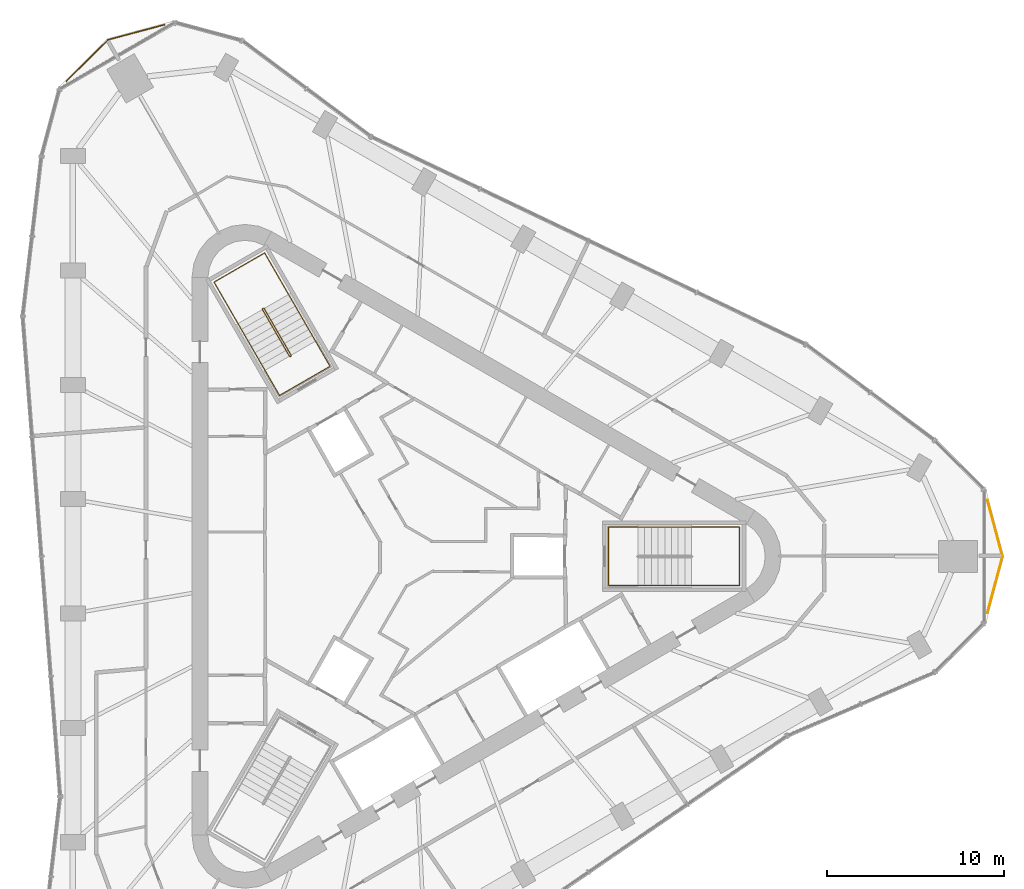
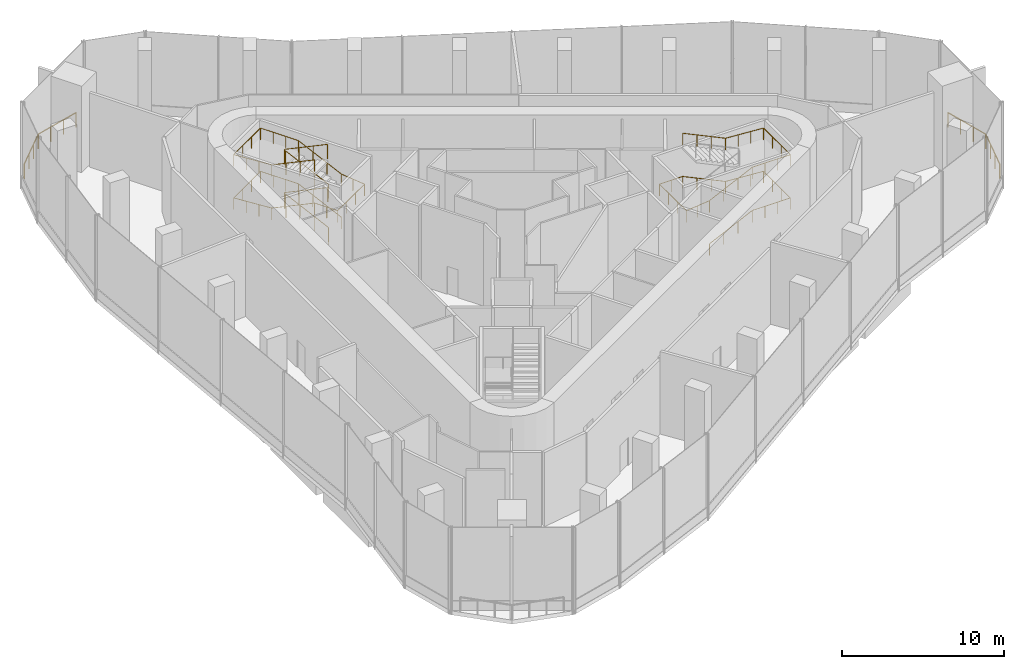
# One storey, part 13 of 13: 5 railings.
"""IFC4 building model written with IfcOpenShell, lengths in metres."""

from ifc_helpers import new_model, si_unit, direction, frame, origin, origin_2d, place, context, subcontext, project, spatial, circle, extrude, material, type_object, element, save


model = new_model("IFC4")

# Units and contexts
model_context = context("Model", 3, precision=1e-05, world=origin(), true_north=direction((0.0, 1.0)))
body_context = subcontext(model_context, "Body", "Model", "MODEL_VIEW")
ifc_project = project(units=[si_unit("LENGTHUNIT", "METRE"), si_unit("AREAUNIT", "SQUARE_METRE"), si_unit("VOLUMEUNIT", "CUBIC_METRE"), si_unit("PLANEANGLEUNIT", "RADIAN"), si_unit("MASSUNIT", "GRAM", prefix="KILO")], contexts=[model_context])

# Site, building, storey
site_placement = place(None, origin())
site = spatial("IfcSite", under=ifc_project, at=site_placement, CompositionType="ELEMENT")
building_placement = place(site_placement, origin())
building = spatial("IfcBuilding", under=site, at=building_placement, Name="Tanit Gate Tower", CompositionType="ELEMENT")
storey_placement = place(building_placement, frame((0.0, 0.0, 398.300048828125)))
storey = spatial("IfcBuildingStorey", under=building, at=storey_placement, Name="L91", CompositionType="ELEMENT", Elevation=398.300048828125)

# Railings
ifc_material_1 = material(Name="Stainless steel", Category="steel")
railing_type_1 = type_object("IfcRailingType", Name="Guard 1100 stainless steel balustrade", PredefinedType="GUARDRAIL", material=ifc_material_1)
railing_1_placement = place(storey_placement, frame((-19.1923828125, 26.8603515625, 0.0)))
element("IfcRailing", 1, at=railing_1_placement, inside=storey, type_object=railing_type_1, Name="Corner ledge guard L91 2", PredefinedType="GUARDRAIL", context=body_context, shape_type="SweptSolid", body=[
    extrude(circle(Radius=0.02392578125, at=origin_2d()), frame((0.0, 0.0, 1.076171875), z_axis=(0.707106781187, 0.707106781187, 0.0), x_axis=(-0.707106781187, 0.707106781187, 0.0)), (0.0, 0.0, 1.0), 3.303466796875),
    extrude(circle(Radius=0.02392578125, at=origin_2d()), frame((2.3359375, 2.3359375, 1.076171875), z_axis=(0.965927598952, 0.258812429344, 0.0), x_axis=(-0.258812429344, 0.965927598952, 0.0)), (0.0, 0.0, 1.0), 3.303466796875),
    extrude(circle(Radius=0.02099609375, at=origin_2d()), origin(), (0.0, 0.0, 1.0), 1.052001953125),
    extrude(circle(Radius=0.02099609375, at=origin_2d()), frame((0.778564453125, 0.778564453125, 0.0)), (0.0, 0.0, 1.0), 1.052001953125),
    extrude(circle(Radius=0.02099609375, at=origin_2d()), frame((1.557373046875, 1.557373046875, 0.0)), (0.0, 0.0, 1.0), 1.052001953125),
    extrude(circle(Radius=0.02099609375, at=origin_2d()), frame((2.3359375, 2.3359375, 0.0)), (0.0, 0.0, 1.0), 1.052001953125),
    extrude(circle(Radius=0.02099609375, at=origin_2d()), frame((3.399658203125, 2.620849609375, 0.0)), (0.0, 0.0, 1.0), 1.052001953125),
    extrude(circle(Radius=0.02099609375, at=origin_2d()), frame((4.463134765625, 2.906005859375, 0.0)), (0.0, 0.0, 1.0), 1.052001953125),
    extrude(circle(Radius=0.02099609375, at=origin_2d()), frame((5.52685546875, 3.19091796875, 0.0)), (0.0, 0.0, 1.0), 1.052001953125),
])
railing_2_placement = place(storey_placement, frame((32.85791015625, 3.190673828125, 0.0)))
element("IfcRailing", 2, at=railing_2_placement, inside=storey, type_object=railing_type_1, Name="Corner ledge guard L91 3", PredefinedType="GUARDRAIL", context=body_context, shape_type="SweptSolid", body=[
    extrude(circle(Radius=0.02392578125, at=origin_2d()), frame((0.0, 0.0, 1.076171875), z_axis=(0.258830906222, -0.965922648034, 0.0), x_axis=(0.965922648034, 0.258830906222, 0.0)), (0.0, 0.0, 1.0), 3.30322265625),
    extrude(circle(Radius=0.02392578125, at=origin_2d()), frame((0.85498046875, -3.190673828125, 1.076171875), z_axis=(-0.258830906222, -0.965922648034, 0.0), x_axis=(0.965922648034, -0.258830906222, 0.0)), (0.0, 0.0, 1.0), 3.30322265625),
    extrude(circle(Radius=0.02099609375, at=origin_2d()), origin(), (0.0, 0.0, 1.0), 1.052001953125),
    extrude(circle(Radius=0.02099609375, at=origin_2d()), frame((0.284912109375, -1.0634765625, 0.0)), (0.0, 0.0, 1.0), 1.052001953125),
    extrude(circle(Radius=0.02099609375, at=origin_2d()), frame((0.570068359375, -2.127197265625, 0.0)), (0.0, 0.0, 1.0), 1.052001953125),
    extrude(circle(Radius=0.02099609375, at=origin_2d()), frame((0.85498046875, -3.190673828125, 0.0)), (0.0, 0.0, 1.0), 1.052001953125),
    extrude(circle(Radius=0.02099609375, at=origin_2d()), frame((0.570068359375, -4.254150390625, 0.0)), (0.0, 0.0, 1.0), 1.052001953125),
    extrude(circle(Radius=0.02099609375, at=origin_2d()), frame((0.284912109375, -5.31787109375, 0.0)), (0.0, 0.0, 1.0), 1.052001953125),
    extrude(circle(Radius=0.02099609375, at=origin_2d()), frame((0.0, -6.38134765625, 0.0)), (0.0, 0.0, 1.0), 1.052001953125),
])
ifc_material_2 = material(Name="Stainless steel balustrade", Category="steel")
railing_type_2 = type_object("IfcRailingType", Name="INT-STAIR-GUARD", PredefinedType="GUARDRAIL", material=ifc_material_2)
railing_3_placement = place(storey_placement, frame((-6.527099609375, 11.29345703125, 0.0)))
element("IfcRailing", 3, at=railing_3_placement, inside=storey, type_object=railing_type_2, Name="L91 S2 stair guard 1", PredefinedType="GUARDRAIL", context=body_context, shape_type="SweptSolid", body=[
    extrude(circle(Radius=0.02392578125, at=origin_2d()), frame((0.0, 0.0, 1.076171875), z_axis=(0.868243142124, 0.496138938357, 0.0), x_axis=(-0.496138938357, 0.868243142124, 0.0)), (0.0, 0.0, 1.0), 0.01171875),
    extrude(circle(Radius=0.02392578125, at=origin_2d()), frame((0.01025390625, 0.005859375, 1.076171875), z_axis=(0.094480171184, 0.352725972421, 0.930944620068), x_axis=(-0.965948051503, 0.258736085224, 0.0)), (0.0, 0.0, 1.0), 0.19384765625),
    extrude(circle(Radius=0.02392578125, at=origin_2d()), frame((0.028564453125, 0.07421875, 1.25634765625), z_axis=(-0.451876161859, 0.782624910595, 0.428142714126), x_axis=(-0.866012246495, -0.500022788402, 0.0)), (0.0, 0.0, 1.0), 3.3740234375),
    extrude(circle(Radius=0.02392578125, at=origin_2d()), frame((-1.49609375, 2.71484375, 2.701171875), z_axis=(-0.965715946433, 0.259601060869, 0.0), x_axis=(-0.259601060869, -0.965715946433, 0.0)), (0.0, 0.0, 1.0), 0.070556640625),
    extrude(circle(Radius=0.02392578125, at=origin_2d()), frame((-1.564208984375, 2.733154296875, 2.701171875), z_axis=(-0.873197702015, -0.487366159264, 0.0), x_axis=(0.487366159264, -0.873197702015, 0.0)), (0.0, 0.0, 1.0), 0.011962890625),
    extrude(circle(Radius=0.02392578125, at=origin_2d()), frame((-1.57470703125, 2.727294921875, 2.701171875), z_axis=(-0.094480171184, -0.352725972421, 0.930944620068), x_axis=(0.965948051503, -0.258736085224, 0.0)), (0.0, 0.0, 1.0), 0.19384765625),
    extrude(circle(Radius=0.02392578125, at=origin_2d()), frame((-1.593017578125, 2.658935546875, 2.88134765625), z_axis=(0.451876161859, -0.782624910595, 0.428142714126), x_axis=(0.866012246495, 0.500022788402, 0.0)), (0.0, 0.0, 1.0), 3.3740234375),
    extrude(circle(Radius=0.02392578125, at=origin_2d()), frame((-0.068359375, 0.018310546875, 4.326171875), z_axis=(0.965948051503, -0.258736085224, 0.0), x_axis=(0.258736085224, 0.965948051503, 0.0)), (0.0, 0.0, 1.0), 0.07080078125),
    extrude(circle(Radius=0.02392578125, at=origin_2d()), frame((0.0, 0.0, 4.326171875), z_axis=(0.868243142124, 0.496138938357, 0.0), x_axis=(-0.496138938357, 0.868243142124, 0.0)), (0.0, 0.0, 1.0), 0.01171875),
    extrude(circle(Radius=0.02392578125, at=origin_2d()), frame((0.01025390625, 0.005859375, 4.326171875), z_axis=(0.094480171184, 0.352725972421, 0.930944620068), x_axis=(-0.965948051503, 0.258736085224, 0.0)), (0.0, 0.0, 1.0), 0.19384765625),
    extrude(circle(Radius=0.02392578125, at=origin_2d()), frame((0.028564453125, 0.07421875, 4.50634765625), z_axis=(-0.451876161859, 0.782624910595, 0.428142714126), x_axis=(-0.866012246495, -0.500022788402, 0.0)), (0.0, 0.0, 1.0), 3.3740234375),
    extrude(circle(Radius=0.02392578125, at=origin_2d()), frame((-1.49609375, 2.71484375, 5.951171875), z_axis=(-0.965715946433, 0.259601060869, 0.0), x_axis=(-0.259601060869, -0.965715946433, 0.0)), (0.0, 0.0, 1.0), 0.070556640625),
    extrude(circle(Radius=0.02392578125, at=origin_2d()), frame((-1.564208984375, 2.733154296875, 5.951171875), z_axis=(-0.873197702015, -0.487366159264, 0.0), x_axis=(0.487366159264, -0.873197702015, 0.0)), (0.0, 0.0, 1.0), 0.011962890625),
    extrude(circle(Radius=0.02392578125, at=origin_2d()), frame((-1.57470703125, 2.727294921875, 5.951171875), z_axis=(-0.094480171184, -0.352725972421, 0.930944620068), x_axis=(0.965948051503, -0.258736085224, 0.0)), (0.0, 0.0, 1.0), 0.19384765625),
    extrude(circle(Radius=0.02392578125, at=origin_2d()), frame((-1.593017578125, 2.658935546875, 6.13134765625), z_axis=(0.451876161859, -0.782624910595, 0.428142714126), x_axis=(0.866012246495, 0.500022788402, 0.0)), (0.0, 0.0, 1.0), 3.3740234375),
    extrude(circle(Radius=0.02099609375, at=origin_2d()), origin(), (0.0, 0.0, 1.0), 1.052001953125),
    extrude(circle(Radius=0.02099609375, at=origin_2d()), frame((0.01025390625, 0.005859375, 0.0)), (0.0, 0.0, 1.0), 1.052001953125),
    extrude(circle(Radius=0.02099609375, at=origin_2d()), frame((0.028564453125, 0.07421875, 0.180419921875)), (0.0, 0.0, 1.0), 1.052001953125),
    extrude(circle(Radius=0.02099609375, at=origin_2d()), frame((-0.479736328125, 0.954345703125, 0.661865234375)), (0.0, 0.0, 1.0), 1.052001953125),
    extrude(circle(Radius=0.02099609375, at=origin_2d()), frame((-0.98779296875, 1.834716796875, 1.1435546875)), (0.0, 0.0, 1.0), 1.052001953125),
    extrude(circle(Radius=0.02099609375, at=origin_2d()), frame((-1.49609375, 2.71484375, 1.625)), (0.0, 0.0, 1.0), 1.052001953125),
    extrude(circle(Radius=0.02099609375, at=origin_2d()), frame((-1.564208984375, 2.733154296875, 1.625)), (0.0, 0.0, 1.0), 1.052001953125),
    extrude(circle(Radius=0.02099609375, at=origin_2d()), frame((-1.57470703125, 2.727294921875, 1.625)), (0.0, 0.0, 1.0), 1.052001953125),
    extrude(circle(Radius=0.02099609375, at=origin_2d()), frame((-1.593017578125, 2.658935546875, 1.805419921875)), (0.0, 0.0, 1.0), 1.052001953125),
    extrude(circle(Radius=0.02099609375, at=origin_2d()), frame((-1.084716796875, 1.77880859375, 2.286865234375)), (0.0, 0.0, 1.0), 1.052001953125),
    extrude(circle(Radius=0.02099609375, at=origin_2d()), frame((-0.57666015625, 0.8984375, 2.7685546875)), (0.0, 0.0, 1.0), 1.052001953125),
    extrude(circle(Radius=0.02099609375, at=origin_2d()), frame((-0.068359375, 0.018310546875, 3.25)), (0.0, 0.0, 1.0), 1.052001953125),
    extrude(circle(Radius=0.02099609375, at=origin_2d()), frame((0.0, 0.0, 3.25)), (0.0, 0.0, 1.0), 1.052001953125),
    extrude(circle(Radius=0.02099609375, at=origin_2d()), frame((0.01025390625, 0.005859375, 3.25)), (0.0, 0.0, 1.0), 1.052001953125),
    extrude(circle(Radius=0.02099609375, at=origin_2d()), frame((0.028564453125, 0.07421875, 3.430419921875)), (0.0, 0.0, 1.0), 1.052001953125),
    extrude(circle(Radius=0.02099609375, at=origin_2d()), frame((-0.479736328125, 0.954345703125, 3.911865234375)), (0.0, 0.0, 1.0), 1.052001953125),
    extrude(circle(Radius=0.02099609375, at=origin_2d()), frame((-0.98779296875, 1.834716796875, 4.3935546875)), (0.0, 0.0, 1.0), 1.052001953125),
    extrude(circle(Radius=0.02099609375, at=origin_2d()), frame((-1.49609375, 2.71484375, 4.875)), (0.0, 0.0, 1.0), 1.052001953125),
    extrude(circle(Radius=0.02099609375, at=origin_2d()), frame((-1.564208984375, 2.733154296875, 4.875)), (0.0, 0.0, 1.0), 1.052001953125),
    extrude(circle(Radius=0.02099609375, at=origin_2d()), frame((-1.57470703125, 2.727294921875, 4.875)), (0.0, 0.0, 1.0), 1.052001953125),
    extrude(circle(Radius=0.02099609375, at=origin_2d()), frame((-1.593017578125, 2.658935546875, 5.055419921875)), (0.0, 0.0, 1.0), 1.052001953125),
    extrude(circle(Radius=0.02099609375, at=origin_2d()), frame((-1.084716796875, 1.77880859375, 5.536865234375)), (0.0, 0.0, 1.0), 1.052001953125),
    extrude(circle(Radius=0.02099609375, at=origin_2d()), frame((-0.57666015625, 0.8984375, 6.0185546875)), (0.0, 0.0, 1.0), 1.052001953125),
    extrude(circle(Radius=0.02099609375, at=origin_2d()), frame((-0.068359375, 0.018310546875, 6.5)), (0.0, 0.0, 1.0), 1.052001953125),
])
ifc_material_3 = material(Name="Stainless steel handrail", Category="steel")
railing_type_3 = type_object("IfcRailingType", Name="INT-STAIR-HANDRAIL", PredefinedType="HANDRAIL", material=ifc_material_3)
railing_4_placement = place(storey_placement, frame((13.094970703125, -1.64990234375, 0.180419921875)))
element("IfcRailing", 4, at=railing_4_placement, inside=storey, type_object=railing_type_3, Name="L91 S1 stair handrail 1", PredefinedType="HANDRAIL", context=body_context, shape_type="SweptSolid", body=[
    extrude(circle(Radius=0.02392578125, at=origin_2d()), frame((0.0, 0.0, 0.8759765625), z_axis=(0.9038114568, 0.0, 0.427930894605), x_axis=(0.0, 1.0, 0.0)), (0.0, 0.0, 1.0), 3.375732421875),
    extrude(circle(Radius=0.02392578125, at=origin_2d()), frame((3.051025390625, 0.0, 2.3203125), z_axis=(1.0, 0.0, 0.0), x_axis=(0.0, 1.0, 0.0)), (0.0, 0.0, 1.0), 2.7041015625),
    extrude(circle(Radius=0.02392578125, at=origin_2d()), frame((5.755126953125, 0.0, 2.3203125), z_axis=(0.0, 1.0, 0.0), x_axis=(-1.0, 0.0, 0.0)), (0.0, 0.0, 1.0), 3.2998046875),
    extrude(circle(Radius=0.02392578125, at=origin_2d()), frame((5.755126953125, 3.2998046875, 2.3203125), z_axis=(-0.997781568949, 0.0, 0.066572822269), x_axis=(0.0, -1.0, 0.0)), (0.0, 0.0, 1.0), 2.710205078125),
    extrude(circle(Radius=0.02392578125, at=origin_2d()), frame((3.051025390625, 3.2998046875, 2.5009765625), z_axis=(-0.9038114568, 0.0, 0.427930894605), x_axis=(0.0, -1.0, 0.0)), (0.0, 0.0, 1.0), 3.375732421875),
    extrude(circle(Radius=0.02392578125, at=origin_2d()), frame((0.0, 3.2998046875, 3.9453125), z_axis=(-1.0, 0.0, 0.0), x_axis=(0.0, -1.0, 0.0)), (0.0, 0.0, 1.0), 1.64501953125),
    extrude(circle(Radius=0.02392578125, at=origin_2d()), frame((-1.64501953125, 3.2998046875, 3.9453125), z_axis=(0.0, -1.0, 0.0), x_axis=(1.0, 0.0, 0.0)), (0.0, 0.0, 1.0), 3.2998046875),
    extrude(circle(Radius=0.02392578125, at=origin_2d()), frame((-1.64501953125, 0.0, 3.9453125), z_axis=(0.994039259257, 0.0, 0.109022708903), x_axis=(0.0, 1.0, 0.0)), (0.0, 0.0, 1.0), 1.65478515625),
    extrude(circle(Radius=0.02392578125, at=origin_2d()), frame((0.0, 0.0, 4.1259765625), z_axis=(0.9038114568, 0.0, 0.427930894605), x_axis=(0.0, 1.0, 0.0)), (0.0, 0.0, 1.0), 3.375732421875),
    extrude(circle(Radius=0.02392578125, at=origin_2d()), frame((3.051025390625, 0.0, 5.5703125), z_axis=(1.0, 0.0, 0.0), x_axis=(0.0, 1.0, 0.0)), (0.0, 0.0, 1.0), 2.7041015625),
    extrude(circle(Radius=0.02392578125, at=origin_2d()), frame((5.755126953125, 0.0, 5.5703125), z_axis=(0.0, 1.0, 0.0), x_axis=(-1.0, 0.0, 0.0)), (0.0, 0.0, 1.0), 3.2998046875),
    extrude(circle(Radius=0.02392578125, at=origin_2d()), frame((5.755126953125, 3.2998046875, 5.5703125), z_axis=(-0.997781568949, 0.0, 0.066572822269), x_axis=(0.0, -1.0, 0.0)), (0.0, 0.0, 1.0), 2.710205078125),
    extrude(circle(Radius=0.02392578125, at=origin_2d()), frame((3.051025390625, 3.2998046875, 5.7509765625), z_axis=(-0.9038114568, 0.0, 0.427930894605), x_axis=(0.0, -1.0, 0.0)), (0.0, 0.0, 1.0), 3.375732421875),
    extrude(circle(Radius=0.02099609375, at=origin_2d()), origin(), (0.0, 0.0, 1.0), 0.851806640625),
    extrude(circle(Radius=0.02099609375, at=origin_2d()), frame((1.01708984375, 0.0, 0.4814453125)), (0.0, 0.0, 1.0), 0.851806640625),
    extrude(circle(Radius=0.02099609375, at=origin_2d()), frame((2.033935546875, 0.0, 0.963134765625)), (0.0, 0.0, 1.0), 0.851806640625),
    extrude(circle(Radius=0.02099609375, at=origin_2d()), frame((3.051025390625, 0.0, 1.444580078125)), (0.0, 0.0, 1.0), 0.851806640625),
    extrude(circle(Radius=0.02099609375, at=origin_2d()), frame((3.952392578125, 0.0, 1.444580078125)), (0.0, 0.0, 1.0), 0.851806640625),
    extrude(circle(Radius=0.02099609375, at=origin_2d()), frame((4.853759765625, 0.0, 1.444580078125)), (0.0, 0.0, 1.0), 0.851806640625),
    extrude(circle(Radius=0.02099609375, at=origin_2d()), frame((5.755126953125, 0.0, 1.444580078125)), (0.0, 0.0, 1.0), 0.851806640625),
    extrude(circle(Radius=0.02099609375, at=origin_2d()), frame((5.755126953125, 1.099853515625, 1.444580078125)), (0.0, 0.0, 1.0), 0.851806640625),
    extrude(circle(Radius=0.02099609375, at=origin_2d()), frame((5.755126953125, 2.199951171875, 1.444580078125)), (0.0, 0.0, 1.0), 0.851806640625),
    extrude(circle(Radius=0.02099609375, at=origin_2d()), frame((5.755126953125, 3.2998046875, 1.444580078125)), (0.0, 0.0, 1.0), 0.851806640625),
    extrude(circle(Radius=0.02099609375, at=origin_2d()), frame((4.853759765625, 3.2998046875, 1.504638671875)), (0.0, 0.0, 1.0), 0.851806640625),
    extrude(circle(Radius=0.02099609375, at=origin_2d()), frame((3.952392578125, 3.2998046875, 1.56494140625)), (0.0, 0.0, 1.0), 0.851806640625),
    extrude(circle(Radius=0.02099609375, at=origin_2d()), frame((3.051025390625, 3.2998046875, 1.625)), (0.0, 0.0, 1.0), 0.851806640625),
    extrude(circle(Radius=0.02099609375, at=origin_2d()), frame((2.033935546875, 3.2998046875, 2.1064453125)), (0.0, 0.0, 1.0), 0.851806640625),
    extrude(circle(Radius=0.02099609375, at=origin_2d()), frame((1.01708984375, 3.2998046875, 2.588134765625)), (0.0, 0.0, 1.0), 0.851806640625),
    extrude(circle(Radius=0.02099609375, at=origin_2d()), frame((0.0, 3.2998046875, 3.069580078125)), (0.0, 0.0, 1.0), 0.851806640625),
    extrude(circle(Radius=0.02099609375, at=origin_2d()), frame((-0.822509765625, 3.2998046875, 3.069580078125)), (0.0, 0.0, 1.0), 0.851806640625),
    extrude(circle(Radius=0.02099609375, at=origin_2d()), frame((-1.64501953125, 3.2998046875, 3.069580078125)), (0.0, 0.0, 1.0), 0.851806640625),
    extrude(circle(Radius=0.02099609375, at=origin_2d()), frame((-1.64501953125, 2.199951171875, 3.069580078125)), (0.0, 0.0, 1.0), 0.851806640625),
    extrude(circle(Radius=0.02099609375, at=origin_2d()), frame((-1.64501953125, 1.099853515625, 3.069580078125)), (0.0, 0.0, 1.0), 0.851806640625),
    extrude(circle(Radius=0.02099609375, at=origin_2d()), frame((-1.64501953125, 0.0, 3.069580078125)), (0.0, 0.0, 1.0), 0.851806640625),
    extrude(circle(Radius=0.02099609375, at=origin_2d()), frame((-0.822509765625, 0.0, 3.15966796875)), (0.0, 0.0, 1.0), 0.851806640625),
    extrude(circle(Radius=0.02099609375, at=origin_2d()), frame((0.0, 0.0, 3.25)), (0.0, 0.0, 1.0), 0.851806640625),
    extrude(circle(Radius=0.02099609375, at=origin_2d()), frame((1.01708984375, 0.0, 3.7314453125)), (0.0, 0.0, 1.0), 0.851806640625),
    extrude(circle(Radius=0.02099609375, at=origin_2d()), frame((2.033935546875, 0.0, 4.213134765625)), (0.0, 0.0, 1.0), 0.851806640625),
    extrude(circle(Radius=0.02099609375, at=origin_2d()), frame((3.051025390625, 0.0, 4.694580078125)), (0.0, 0.0, 1.0), 0.851806640625),
    extrude(circle(Radius=0.02099609375, at=origin_2d()), frame((3.952392578125, 0.0, 4.694580078125)), (0.0, 0.0, 1.0), 0.851806640625),
    extrude(circle(Radius=0.02099609375, at=origin_2d()), frame((4.853759765625, 0.0, 4.694580078125)), (0.0, 0.0, 1.0), 0.851806640625),
    extrude(circle(Radius=0.02099609375, at=origin_2d()), frame((5.755126953125, 0.0, 4.694580078125)), (0.0, 0.0, 1.0), 0.851806640625),
    extrude(circle(Radius=0.02099609375, at=origin_2d()), frame((5.755126953125, 1.099853515625, 4.694580078125)), (0.0, 0.0, 1.0), 0.851806640625),
    extrude(circle(Radius=0.02099609375, at=origin_2d()), frame((5.755126953125, 2.199951171875, 4.694580078125)), (0.0, 0.0, 1.0), 0.851806640625),
    extrude(circle(Radius=0.02099609375, at=origin_2d()), frame((5.755126953125, 3.2998046875, 4.694580078125)), (0.0, 0.0, 1.0), 0.851806640625),
    extrude(circle(Radius=0.02099609375, at=origin_2d()), frame((4.853759765625, 3.2998046875, 4.754638671875)), (0.0, 0.0, 1.0), 0.851806640625),
    extrude(circle(Radius=0.02099609375, at=origin_2d()), frame((3.952392578125, 3.2998046875, 4.81494140625)), (0.0, 0.0, 1.0), 0.851806640625),
    extrude(circle(Radius=0.02099609375, at=origin_2d()), frame((3.051025390625, 3.2998046875, 4.875)), (0.0, 0.0, 1.0), 0.851806640625),
    extrude(circle(Radius=0.02099609375, at=origin_2d()), frame((2.033935546875, 3.2998046875, 5.3564453125)), (0.0, 0.0, 1.0), 0.851806640625),
    extrude(circle(Radius=0.02099609375, at=origin_2d()), frame((1.01708984375, 3.2998046875, 5.838134765625)), (0.0, 0.0, 1.0), 0.851806640625),
    extrude(circle(Radius=0.02099609375, at=origin_2d()), frame((0.0, 3.2998046875, 6.319580078125)), (0.0, 0.0, 1.0), 0.851806640625),
])
railing_5_placement = place(storey_placement, frame((-5.1181640625, 12.164794921875, 0.180419921875)))
element("IfcRailing", 5, at=railing_5_placement, inside=storey, type_object=railing_type_3, Name="L91 S2 stair handrail 1", PredefinedType="HANDRAIL", context=body_context, shape_type="SweptSolid", body=[
    extrude(circle(Radius=0.02392578125, at=origin_2d()), frame((0.0, 0.0, 0.8759765625), z_axis=(-0.451818575907, 0.7826504992, 0.428156712627), x_axis=(-0.866046917185, -0.499962735845, 0.0)), (0.0, 0.0, 1.0), 3.3740234375),
    extrude(circle(Radius=0.02392578125, at=origin_2d()), frame((-1.5244140625, 2.640625, 2.3203125), z_axis=(-0.500019123664, 0.86601436245, 0.0), x_axis=(-0.86601436245, -0.500019123664, 0.0)), (0.0, 0.0, 1.0), 2.70703125),
    extrude(circle(Radius=0.02392578125, at=origin_2d()), frame((-2.8779296875, 4.98486328125, 2.3203125), z_axis=(-0.866008176907, -0.50002983664, 0.0), x_axis=(0.50002983664, -0.866008176907, 0.0)), (0.0, 0.0, 1.0), 3.300048828125),
    extrude(circle(Radius=0.02392578125, at=origin_2d()), frame((-5.73583984375, 3.334716796875, 2.3203125), z_axis=(0.498950971614, -0.864074364802, 0.066508796541), x_axis=(0.865991810323, 0.500058181068, 0.0)), (0.0, 0.0, 1.0), 2.712646484375),
    extrude(circle(Radius=0.02392578125, at=origin_2d()), frame((-4.38232421875, 0.99072265625, 2.5009765625), z_axis=(0.451850573451, -0.78265294684, 0.428118469673), x_axis=(0.866032263162, 0.499988119021, 0.0)), (0.0, 0.0, 1.0), 3.374267578125),
    extrude(circle(Radius=0.02392578125, at=origin_2d()), frame((-2.857666015625, -1.650146484375, 3.9453125), z_axis=(0.499941024108, -0.866059450854, 0.0), x_axis=(0.866059450854, 0.499941024108, 0.0)), (0.0, 0.0, 1.0), 1.643798828125),
    extrude(circle(Radius=0.02392578125, at=origin_2d()), frame((-2.035888671875, -3.07373046875, 3.9453125), z_axis=(0.866040211805, 0.499974350878, 0.0), x_axis=(-0.499974350878, 0.866040211805, 0.0)), (0.0, 0.0, 1.0), 3.300048828125),
    extrude(circle(Radius=0.02392578125, at=origin_2d()), frame((0.822021484375, -1.423828125, 3.9453125), z_axis=(-0.497004439879, 0.860864239196, 0.109084134562), x_axis=(-0.866032269107, -0.499988108725, 0.0)), (0.0, 0.0, 1.0), 1.654052734375),
    extrude(circle(Radius=0.02392578125, at=origin_2d()), frame((0.0, 0.0, 4.1259765625), z_axis=(-0.451818575907, 0.7826504992, 0.428156712627), x_axis=(-0.866046917185, -0.499962735845, 0.0)), (0.0, 0.0, 1.0), 3.3740234375),
    extrude(circle(Radius=0.02392578125, at=origin_2d()), frame((-1.5244140625, 2.640625, 5.5703125), z_axis=(-0.500019123664, 0.86601436245, 0.0), x_axis=(-0.86601436245, -0.500019123664, 0.0)), (0.0, 0.0, 1.0), 2.70703125),
    extrude(circle(Radius=0.02392578125, at=origin_2d()), frame((-2.8779296875, 4.98486328125, 5.5703125), z_axis=(-0.866008176907, -0.50002983664, 0.0), x_axis=(0.50002983664, -0.866008176907, 0.0)), (0.0, 0.0, 1.0), 3.300048828125),
    extrude(circle(Radius=0.02392578125, at=origin_2d()), frame((-5.73583984375, 3.334716796875, 5.5703125), z_axis=(0.498950971614, -0.864074364802, 0.066508796541), x_axis=(0.865991810323, 0.500058181068, 0.0)), (0.0, 0.0, 1.0), 2.712646484375),
    extrude(circle(Radius=0.02392578125, at=origin_2d()), frame((-4.38232421875, 0.99072265625, 5.7509765625), z_axis=(0.451850573451, -0.78265294684, 0.428118469673), x_axis=(0.866032263162, 0.499988119021, 0.0)), (0.0, 0.0, 1.0), 3.374267578125),
    extrude(circle(Radius=0.02099609375, at=origin_2d()), origin(), (0.0, 0.0, 1.0), 0.851806640625),
    extrude(circle(Radius=0.02099609375, at=origin_2d()), frame((-0.508056640625, 0.880126953125, 0.4814453125)), (0.0, 0.0, 1.0), 0.851806640625),
    extrude(circle(Radius=0.02099609375, at=origin_2d()), frame((-1.016357421875, 1.760498046875, 0.963134765625)), (0.0, 0.0, 1.0), 0.851806640625),
    extrude(circle(Radius=0.02099609375, at=origin_2d()), frame((-1.5244140625, 2.640625, 1.444580078125)), (0.0, 0.0, 1.0), 0.851806640625),
    extrude(circle(Radius=0.02099609375, at=origin_2d()), frame((-1.9755859375, 3.422119140625, 1.444580078125)), (0.0, 0.0, 1.0), 0.851806640625),
    extrude(circle(Radius=0.02099609375, at=origin_2d()), frame((-2.4267578125, 4.203369140625, 1.444580078125)), (0.0, 0.0, 1.0), 0.851806640625),
    extrude(circle(Radius=0.02099609375, at=origin_2d()), frame((-2.8779296875, 4.98486328125, 1.444580078125)), (0.0, 0.0, 1.0), 0.851806640625),
    extrude(circle(Radius=0.02099609375, at=origin_2d()), frame((-3.83056640625, 4.434814453125, 1.444580078125)), (0.0, 0.0, 1.0), 0.851806640625),
    extrude(circle(Radius=0.02099609375, at=origin_2d()), frame((-4.783203125, 3.884765625, 1.444580078125)), (0.0, 0.0, 1.0), 0.851806640625),
    extrude(circle(Radius=0.02099609375, at=origin_2d()), frame((-5.73583984375, 3.334716796875, 1.444580078125)), (0.0, 0.0, 1.0), 0.851806640625),
    extrude(circle(Radius=0.02099609375, at=origin_2d()), frame((-5.28466796875, 2.553466796875, 1.504638671875)), (0.0, 0.0, 1.0), 0.851806640625),
    extrude(circle(Radius=0.02099609375, at=origin_2d()), frame((-4.83349609375, 1.77197265625, 1.56494140625)), (0.0, 0.0, 1.0), 0.851806640625),
    extrude(circle(Radius=0.02099609375, at=origin_2d()), frame((-4.38232421875, 0.99072265625, 1.625)), (0.0, 0.0, 1.0), 0.851806640625),
    extrude(circle(Radius=0.02099609375, at=origin_2d()), frame((-3.8740234375, 0.1103515625, 2.1064453125)), (0.0, 0.0, 1.0), 0.851806640625),
    extrude(circle(Radius=0.02099609375, at=origin_2d()), frame((-3.365966796875, -0.769775390625, 2.588134765625)), (0.0, 0.0, 1.0), 0.851806640625),
    extrude(circle(Radius=0.02099609375, at=origin_2d()), frame((-2.857666015625, -1.650146484375, 3.069580078125)), (0.0, 0.0, 1.0), 0.851806640625),
    extrude(circle(Radius=0.02099609375, at=origin_2d()), frame((-2.44677734375, -2.36181640625, 3.069580078125)), (0.0, 0.0, 1.0), 0.851806640625),
    extrude(circle(Radius=0.02099609375, at=origin_2d()), frame((-2.035888671875, -3.07373046875, 3.069580078125)), (0.0, 0.0, 1.0), 0.851806640625),
    extrude(circle(Radius=0.02099609375, at=origin_2d()), frame((-1.083251953125, -2.523681640625, 3.069580078125)), (0.0, 0.0, 1.0), 0.851806640625),
    extrude(circle(Radius=0.02099609375, at=origin_2d()), frame((-0.130615234375, -1.973876953125, 3.069580078125)), (0.0, 0.0, 1.0), 0.851806640625),
    extrude(circle(Radius=0.02099609375, at=origin_2d()), frame((0.822021484375, -1.423828125, 3.069580078125)), (0.0, 0.0, 1.0), 0.851806640625),
    extrude(circle(Radius=0.02099609375, at=origin_2d()), frame((0.4111328125, -0.7119140625, 3.15966796875)), (0.0, 0.0, 1.0), 0.851806640625),
    extrude(circle(Radius=0.02099609375, at=origin_2d()), frame((0.0, 0.0, 3.25)), (0.0, 0.0, 1.0), 0.851806640625),
    extrude(circle(Radius=0.02099609375, at=origin_2d()), frame((-0.508056640625, 0.880126953125, 3.7314453125)), (0.0, 0.0, 1.0), 0.851806640625),
    extrude(circle(Radius=0.02099609375, at=origin_2d()), frame((-1.016357421875, 1.760498046875, 4.213134765625)), (0.0, 0.0, 1.0), 0.851806640625),
    extrude(circle(Radius=0.02099609375, at=origin_2d()), frame((-1.5244140625, 2.640625, 4.694580078125)), (0.0, 0.0, 1.0), 0.851806640625),
    extrude(circle(Radius=0.02099609375, at=origin_2d()), frame((-1.9755859375, 3.422119140625, 4.694580078125)), (0.0, 0.0, 1.0), 0.851806640625),
    extrude(circle(Radius=0.02099609375, at=origin_2d()), frame((-2.4267578125, 4.203369140625, 4.694580078125)), (0.0, 0.0, 1.0), 0.851806640625),
    extrude(circle(Radius=0.02099609375, at=origin_2d()), frame((-2.8779296875, 4.98486328125, 4.694580078125)), (0.0, 0.0, 1.0), 0.851806640625),
    extrude(circle(Radius=0.02099609375, at=origin_2d()), frame((-3.83056640625, 4.434814453125, 4.694580078125)), (0.0, 0.0, 1.0), 0.851806640625),
    extrude(circle(Radius=0.02099609375, at=origin_2d()), frame((-4.783203125, 3.884765625, 4.694580078125)), (0.0, 0.0, 1.0), 0.851806640625),
    extrude(circle(Radius=0.02099609375, at=origin_2d()), frame((-5.73583984375, 3.334716796875, 4.694580078125)), (0.0, 0.0, 1.0), 0.851806640625),
    extrude(circle(Radius=0.02099609375, at=origin_2d()), frame((-5.28466796875, 2.553466796875, 4.754638671875)), (0.0, 0.0, 1.0), 0.851806640625),
    extrude(circle(Radius=0.02099609375, at=origin_2d()), frame((-4.83349609375, 1.77197265625, 4.81494140625)), (0.0, 0.0, 1.0), 0.851806640625),
    extrude(circle(Radius=0.02099609375, at=origin_2d()), frame((-4.38232421875, 0.99072265625, 4.875)), (0.0, 0.0, 1.0), 0.851806640625),
    extrude(circle(Radius=0.02099609375, at=origin_2d()), frame((-3.8740234375, 0.1103515625, 5.3564453125)), (0.0, 0.0, 1.0), 0.851806640625),
    extrude(circle(Radius=0.02099609375, at=origin_2d()), frame((-3.365966796875, -0.769775390625, 5.838134765625)), (0.0, 0.0, 1.0), 0.851806640625),
    extrude(circle(Radius=0.02099609375, at=origin_2d()), frame((-2.857666015625, -1.650146484375, 6.319580078125)), (0.0, 0.0, 1.0), 0.851806640625),
])

save(model, "model.ifc")
